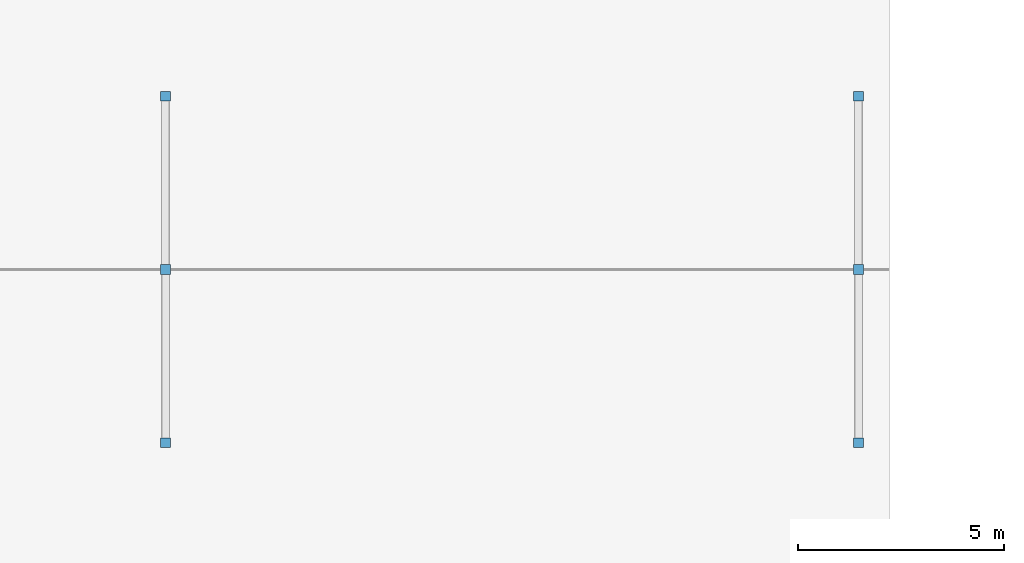
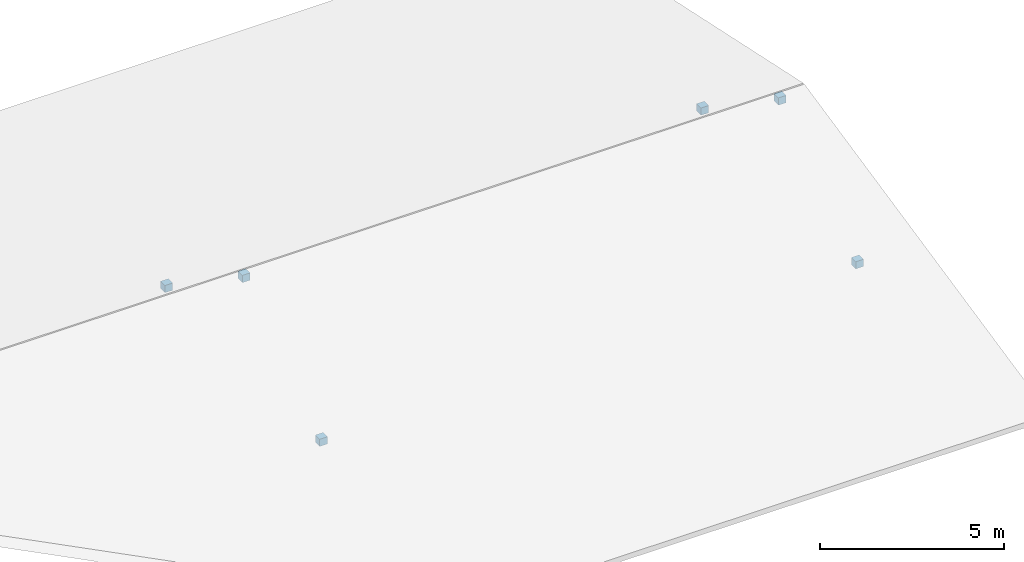
# One storey, part 15 of 21: 6 discrete accessories.
"""IFC4 building model written with IfcOpenShell, lengths in metres."""

from ifc_helpers import new_model, si_unit, direction, frame, origin, origin_2d, place, context, subcontext, project, spatial, rectangle, extrude, material, type_object, element, save


model = new_model("IFC4")

# Units and contexts
model_context = context("Model", 3, precision=1e-05, world=origin(), true_north=direction((0.0, 1.0)))
body_context = subcontext(model_context, "Body", "Model", "MODEL_VIEW")
ifc_project = project(units=[si_unit("LENGTHUNIT", "METRE"), si_unit("AREAUNIT", "SQUARE_METRE"), si_unit("VOLUMEUNIT", "CUBIC_METRE"), si_unit("PLANEANGLEUNIT", "RADIAN"), si_unit("MASSUNIT", "GRAM", prefix="KILO")], contexts=[model_context])

# Site, building, storey
site_placement = place(None, origin())
site = spatial("IfcSite", under=ifc_project, at=site_placement, CompositionType="ELEMENT")
building_placement = place(site_placement, origin())
building = spatial("IfcBuilding", under=site, at=building_placement, Name="Trelvath General Hospital", CompositionType="ELEMENT")
storey_placement = place(building_placement, frame((0.0, 0.0, 28.800048828125)))
storey = spatial("IfcBuildingStorey", under=building, at=storey_placement, Name="L07", CompositionType="ELEMENT", Elevation=28.800048828125)

# Discrete accessories
ifc_material = material(Name="Steel S355", Category="steel")
discrete_accessory_type = type_object("IfcDiscreteAccessoryType", Name="FacadeBracket S355", PredefinedType="BRACKET", material=ifc_material)
for number, where, z_axis, x_axis, name in (
    (1, (100.800048828125, 8.39990234375, -0.1201171875), (0.0, 0.0, 1.0), (1.0, 0.0, 0.0), "South Ward Shell Strut Node 43-A"),
    (2, (100.800048828125, 12.60009765625, 2.759765625), (0.0, 0.0, 1.0), (1.0, 0.0, 0.0), "South Ward Shell Strut Node 43-B"),
    (3, (100.800048828125, 16.800048828125, -0.1201171875), (0.0, 0.0, 1.0), (1.0, 0.0, 0.0), "South Ward Shell Strut Node 44-A"),
    (4, (117.60009765625, 8.39990234375, -0.1201171875), (0.0, 0.0, 1.0), (1.0, 0.0, 0.0), "South Ward Shell Strut Node 45-A"),
    (5, (117.60009765625, 12.60009765625, 2.759765625), (0.0, 0.0, 1.0), (1.0, 0.0, 0.0), "South Ward Shell Strut Node 45-B"),
    (6, (117.60009765625, 16.800048828125, -0.1201171875), (0.0, 0.0, 1.0), (1.0, 0.0, 0.0), "South Ward Shell Strut Node 46-A"),
):
    element("IfcDiscreteAccessory", number, at=place(storey_placement, frame(where, z_axis=z_axis, x_axis=x_axis)), inside=storey, type_object=discrete_accessory_type, Name=name, PredefinedType="BRACKET", context=body_context, shape_type="SweptSolid", body=[
        extrude(rectangle(XDim=0.239990234375, YDim=0.239990234375, at=origin_2d()), origin(), (0.0, 0.0, 1.0), 0.239990234375),
    ])

save(model, "model.ifc")
